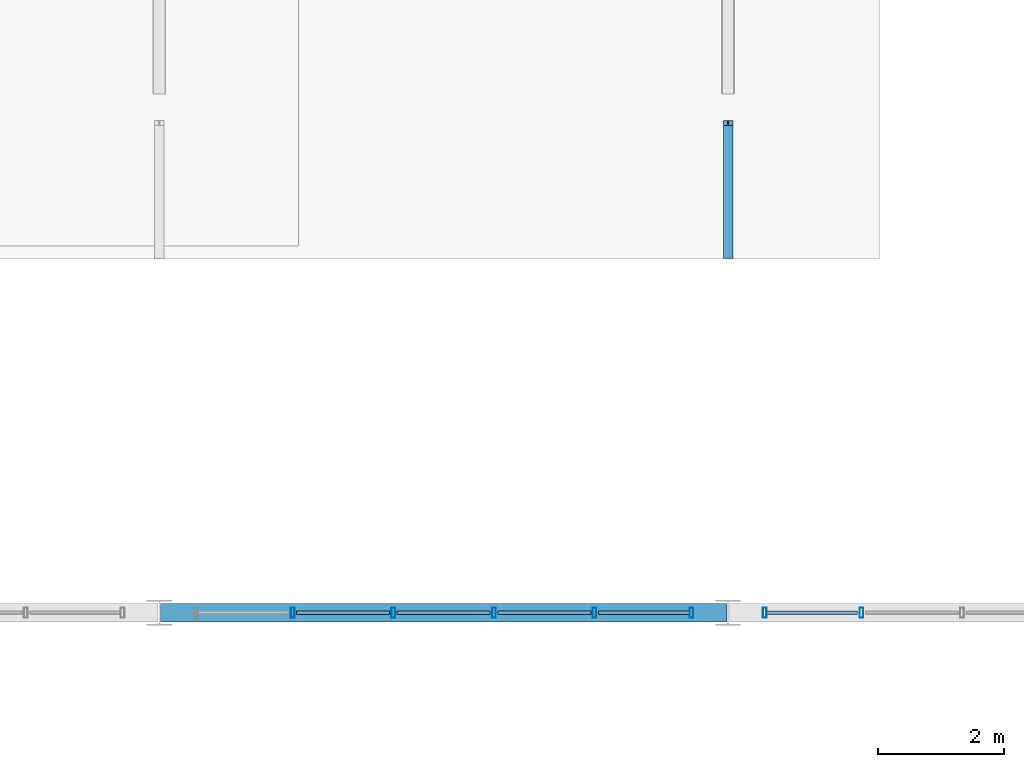
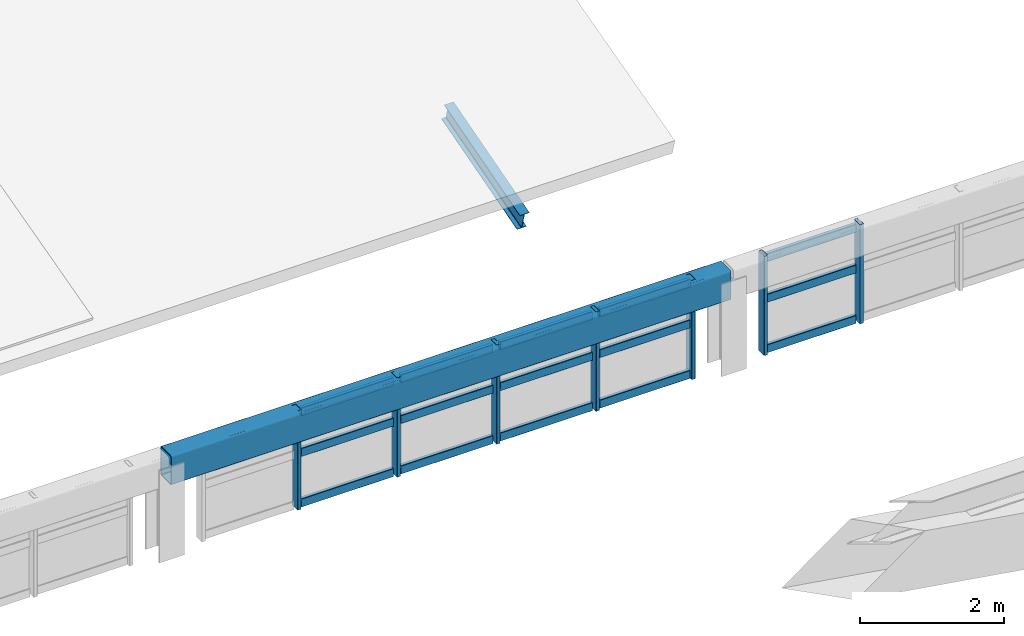
# One storey, part 54 of 128: 22 members, 2 beams, 2 elements without a shape of their own.
"""IFC4 building model written with IfcOpenShell, lengths in metres."""

from ifc_helpers import new_model, si_unit, derived_unit, direction, frame, origin, origin_2d, place, context, subcontext, project, spatial, hollow_rectangle, i_section, extrude, material, material_profile, profile_set, type_object, element, aggregate, save


model = new_model("IFC4")

# Units and contexts
model_context = context("Model", 3, precision=1e-05, world=origin(), true_north=direction((0.0, 1.0)))
body_context = subcontext(model_context, "Body", "Model", "MODEL_VIEW")
ifc_project = project(units=[si_unit("LENGTHUNIT", "METRE"), si_unit("AREAUNIT", "SQUARE_METRE"), si_unit("VOLUMEUNIT", "CUBIC_METRE"), si_unit("PLANEANGLEUNIT", "RADIAN"), si_unit("MASSUNIT", "GRAM", prefix="KILO"), derived_unit("THERMALTRANSMITTANCEUNIT", [(si_unit("MASSUNIT", "GRAM", prefix="KILO"), 1), (si_unit("TIMEUNIT", "SECOND"), -3), (si_unit("THERMODYNAMICTEMPERATUREUNIT", "KELVIN"), -1)])], contexts=[model_context])

# Site, building, storey
site_placement = place(None, origin())
site = spatial("IfcSite", under=ifc_project, at=site_placement, CompositionType="ELEMENT")
building_placement = place(site_placement, origin())
building = spatial("IfcBuilding", under=site, at=building_placement, Name="Zhenchuan Archway Interchange", CompositionType="ELEMENT")
storey_placement = place(building_placement, frame((0.0, 0.0, 14.39990234375)))
storey = spatial("IfcBuildingStorey", under=building, at=storey_placement, Name="L03", CompositionType="ELEMENT", Elevation=14.39990234375)

# Beams
ifc_material_1 = material(Name="Steel Q390", Category="steel")
ifc_material_profile_1 = material_profile(ifc_material_1, hollow_rectangle(XDim=0.300048828125, YDim=0.5, WallThickness=0.01611328125, InnerFilletRadius=0.01611328125, OuterFilletRadius=0.031982421875, at=origin_2d()), Name="RHS 500x300x16")
ifc_profile_set_1 = profile_set([ifc_material_profile_1], Name="Steel Q390")
beam_type_1 = type_object("IfcBeamType", Name="BM_RING_RHS500", PredefinedType="BEAM", material=ifc_profile_set_1)
beam_1_placement = place(storey_placement, frame((45.02001953125, 88.0, 1.4501953125), z_axis=(1.0, 0.0, 0.0), x_axis=(0.0, 1.0, 0.0)))
element("IfcBeam", 1, at=beam_1_placement, inside=storey, type_object=beam_type_1, Name="CONCOURSE CABLE-NET RING BEAM N-3", PredefinedType="BEAM", context=body_context, shape_type="SweptSolid", body=[
    extrude(hollow_rectangle(XDim=0.300048828125, YDim=0.5, WallThickness=0.01611328125, InnerFilletRadius=0.01611328125, OuterFilletRadius=0.031982421875, at=origin_2d()), origin(), (0.0, 0.0, 1.0), 8.9599609375),
])
ifc_material_2 = material(Name="Steel Q355", Category="steel")
ifc_material_profile_2 = material_profile(ifc_material_2, i_section(OverallWidth=0.14990234375, OverallDepth=0.300048828125, WebThickness=0.006591796875, FlangeThickness=0.009033203125, FilletRadius=0.012939453125, at=origin_2d()), Name="HN 300x150")
ifc_profile_set_2 = profile_set([ifc_material_profile_2], Name="Steel Q355")
beam_type_2 = type_object("IfcBeamType", Name="BM_STL_EAVE_HN300", PredefinedType="BEAM", material=ifc_profile_set_2)
beam_2_placement = place(storey_placement, frame((54.0, 95.75, -0.3798828125), z_axis=(0.0, -0.961515511102, -0.274750654067), x_axis=(1.0, 0.0, 0.0)))
element("IfcBeam", 2, at=beam_2_placement, inside=storey, type_object=beam_type_2, Name="Terminal Wing storm-eave bracket X54-S", PredefinedType="BEAM", context=body_context, shape_type="SweptSolid", body=[
    extrude(i_section(OverallWidth=0.14990234375, OverallDepth=0.300048828125, WebThickness=0.006591796875, FlangeThickness=0.009033203125, FilletRadius=0.012939453125, at=origin_2d()), origin(), (0.0, 0.0, 1.0), 2.18408203125),
])

# Curtain wall, members
ifc_material_3 = material(Name="Anodised Aluminium", Category="aluminium")
curtain_wall_type = type_object("IfcCurtainWallType", Name="CW_UNIT_4", PredefinedType="NOTDEFINED", material=ifc_material_3)
curtain_wall_1_placement = place(storey_placement, origin())
curtain_wall_1 = element("IfcCurtainWall", 3, at=curtain_wall_1_placement, inside=storey, type_object=curtain_wall_type, Name="Unitised curtain wall CW:L03:RING-N3", PredefinedType="NOTDEFINED")
ifc_material_profile_3 = material_profile(ifc_material_3, hollow_rectangle(XDim=0.06005859375, YDim=0.159912109375, WallThickness=0.00390625, InnerFilletRadius=0.00390625, OuterFilletRadius=0.008056640625, at=origin_2d()), Name="ALU 160x60x4")
ifc_profile_set_3 = profile_set([ifc_material_profile_3], Name="Anodised Aluminium")
member_type_1 = type_object("IfcMemberType", Name="CW_MUL_150", PredefinedType="MULLION", material=ifc_profile_set_3)
member_1_placement = place(storey_placement, frame((47.112060546875, 88.0, 0.02001953125), z_axis=(0.0, 0.0, 1.0), x_axis=(1.0, 0.0, 0.0)))
member_1 = element("IfcMember", 4, at=member_1_placement, type_object=member_type_1, Name="CW:L03:RING-N3 mullion 1", PredefinedType="MULLION", context=body_context, shape_type="SweptSolid", body=[
    extrude(hollow_rectangle(XDim=0.06005859375, YDim=0.159912109375, WallThickness=0.00390625, InnerFilletRadius=0.00390625, OuterFilletRadius=0.008056640625, at=origin_2d()), origin(), (0.0, 0.0, 1.0), 1.68017578125),
])
member_2_placement = place(storey_placement, frame((48.7041015625, 88.0, 0.02001953125), z_axis=(0.0, 0.0, 1.0), x_axis=(1.0, 0.0, 0.0)))
member_2 = element("IfcMember", 5, at=member_2_placement, type_object=member_type_1, Name="CW:L03:RING-N3 mullion 2", PredefinedType="MULLION", context=body_context, shape_type="SweptSolid", body=[
    extrude(hollow_rectangle(XDim=0.06005859375, YDim=0.159912109375, WallThickness=0.00390625, InnerFilletRadius=0.00390625, OuterFilletRadius=0.008056640625, at=origin_2d()), origin(), (0.0, 0.0, 1.0), 1.68017578125),
])
member_3_placement = place(storey_placement, frame((50.2958984375, 88.0, 0.02001953125), z_axis=(0.0, 0.0, 1.0), x_axis=(1.0, 0.0, 0.0)))
member_3 = element("IfcMember", 6, at=member_3_placement, type_object=member_type_1, Name="CW:L03:RING-N3 mullion 3", PredefinedType="MULLION", context=body_context, shape_type="SweptSolid", body=[
    extrude(hollow_rectangle(XDim=0.06005859375, YDim=0.159912109375, WallThickness=0.00390625, InnerFilletRadius=0.00390625, OuterFilletRadius=0.008056640625, at=origin_2d()), origin(), (0.0, 0.0, 1.0), 1.68017578125),
])
member_4_placement = place(storey_placement, frame((51.887939453125, 88.0, 0.02001953125), z_axis=(0.0, 0.0, 1.0), x_axis=(1.0, 0.0, 0.0)))
member_4 = element("IfcMember", 7, at=member_4_placement, type_object=member_type_1, Name="CW:L03:RING-N3 mullion 4", PredefinedType="MULLION", context=body_context, shape_type="SweptSolid", body=[
    extrude(hollow_rectangle(XDim=0.06005859375, YDim=0.159912109375, WallThickness=0.00390625, InnerFilletRadius=0.00390625, OuterFilletRadius=0.008056640625, at=origin_2d()), origin(), (0.0, 0.0, 1.0), 1.68017578125),
])
member_5_placement = place(storey_placement, frame((53.419921875, 88.0, 0.02001953125), z_axis=(0.0, 0.0, 1.0), x_axis=(1.0, 0.0, 0.0)))
member_5 = element("IfcMember", 8, at=member_5_placement, type_object=member_type_1, Name="CW:L03:RING-N3 mullion 5", PredefinedType="MULLION", context=body_context, shape_type="SweptSolid", body=[
    extrude(hollow_rectangle(XDim=0.06005859375, YDim=0.159912109375, WallThickness=0.00390625, InnerFilletRadius=0.00390625, OuterFilletRadius=0.008056640625, at=origin_2d()), origin(), (0.0, 0.0, 1.0), 1.68017578125),
])

curtain_wall_2_placement = place(storey_placement, origin())
curtain_wall_2 = element("IfcCurtainWall", 9, at=curtain_wall_2_placement, inside=storey, type_object=curtain_wall_type, Name="Unitised curtain wall CW:L03:RING-N4", PredefinedType="NOTDEFINED")
member_6_placement = place(storey_placement, frame((54.580078125, 88.0, 0.02001953125), z_axis=(0.0, 0.0, 1.0), x_axis=(1.0, 0.0, 0.0)))
member_6 = element("IfcMember", 10, at=member_6_placement, type_object=member_type_1, Name="CW:L03:RING-N4 mullion 0", PredefinedType="MULLION", context=body_context, shape_type="SweptSolid", body=[
    extrude(hollow_rectangle(XDim=0.06005859375, YDim=0.159912109375, WallThickness=0.00390625, InnerFilletRadius=0.00390625, OuterFilletRadius=0.008056640625, at=origin_2d()), origin(), (0.0, 0.0, 1.0), 1.68017578125),
])
member_7_placement = place(storey_placement, frame((56.112060546875, 88.0, 0.02001953125), z_axis=(0.0, 0.0, 1.0), x_axis=(1.0, 0.0, 0.0)))
member_7 = element("IfcMember", 11, at=member_7_placement, type_object=member_type_1, Name="CW:L03:RING-N4 mullion 1", PredefinedType="MULLION", context=body_context, shape_type="SweptSolid", body=[
    extrude(hollow_rectangle(XDim=0.06005859375, YDim=0.159912109375, WallThickness=0.00390625, InnerFilletRadius=0.00390625, OuterFilletRadius=0.008056640625, at=origin_2d()), origin(), (0.0, 0.0, 1.0), 1.68017578125),
])

# Member
ifc_material_profile_4 = material_profile(ifc_material_3, hollow_rectangle(XDim=0.06005859375, YDim=0.139892578125, WallThickness=0.00341796875, InnerFilletRadius=0.00341796875, OuterFilletRadius=0.007080078125, at=origin_2d()), Name="ALU 140x60x3.5")
ifc_profile_set_4 = profile_set([ifc_material_profile_4], Name="Anodised Aluminium")
member_type_2 = type_object("IfcMemberType", Name="CW_TRN_140", PredefinedType="USERDEFINED", material=ifc_profile_set_4)
member_8_placement = place(storey_placement, frame((47.172119140625, 88.0, 0.080078125), z_axis=(1.0, 0.0, 0.0), x_axis=(0.0, 1.0, 0.0)))
member_8 = element("IfcMember", 12, at=member_8_placement, type_object=member_type_2, Name="CW:L03:RING-N3 transom 1-1", ObjectType="TRANSOM", PredefinedType="USERDEFINED", context=body_context, shape_type="SweptSolid", body=[
    extrude(hollow_rectangle(XDim=0.06005859375, YDim=0.139892578125, WallThickness=0.00341796875, InnerFilletRadius=0.00341796875, OuterFilletRadius=0.007080078125, at=origin_2d()), origin(), (0.0, 0.0, 1.0), 1.471923828125),
])

member_9_placement = place(storey_placement, frame((47.172119140625, 88.0, 0.93310546875), z_axis=(1.0, 0.0, 0.0), x_axis=(0.0, 1.0, 0.0)))
member_9 = element("IfcMember", 13, at=member_9_placement, type_object=member_type_2, Name="CW:L03:RING-N3 transom 1-2", ObjectType="TRANSOM", PredefinedType="USERDEFINED", context=body_context, shape_type="SweptSolid", body=[
    extrude(hollow_rectangle(XDim=0.06005859375, YDim=0.139892578125, WallThickness=0.00341796875, InnerFilletRadius=0.00341796875, OuterFilletRadius=0.007080078125, at=origin_2d()), origin(), (0.0, 0.0, 1.0), 1.471923828125),
])

member_10_placement = place(storey_placement, frame((47.172119140625, 88.0, 1.6201171875), z_axis=(1.0, 0.0, 0.0), x_axis=(0.0, 1.0, 0.0)))
member_10 = element("IfcMember", 14, at=member_10_placement, type_object=member_type_2, Name="CW:L03:RING-N3 transom 1-3", ObjectType="TRANSOM", PredefinedType="USERDEFINED", context=body_context, shape_type="SweptSolid", body=[
    extrude(hollow_rectangle(XDim=0.06005859375, YDim=0.139892578125, WallThickness=0.00341796875, InnerFilletRadius=0.00341796875, OuterFilletRadius=0.007080078125, at=origin_2d()), origin(), (0.0, 0.0, 1.0), 1.471923828125),
])

member_11_placement = place(storey_placement, frame((48.763916015625, 88.0, 0.080078125), z_axis=(1.0, 0.0, 0.0), x_axis=(0.0, 1.0, 0.0)))
member_11 = element("IfcMember", 15, at=member_11_placement, type_object=member_type_2, Name="CW:L03:RING-N3 transom 2-1", ObjectType="TRANSOM", PredefinedType="USERDEFINED", context=body_context, shape_type="SweptSolid", body=[
    extrude(hollow_rectangle(XDim=0.06005859375, YDim=0.139892578125, WallThickness=0.00341796875, InnerFilletRadius=0.00341796875, OuterFilletRadius=0.007080078125, at=origin_2d()), origin(), (0.0, 0.0, 1.0), 1.47216796875),
])

member_12_placement = place(storey_placement, frame((48.763916015625, 88.0, 0.93310546875), z_axis=(1.0, 0.0, 0.0), x_axis=(0.0, 1.0, 0.0)))
member_12 = element("IfcMember", 16, at=member_12_placement, type_object=member_type_2, Name="CW:L03:RING-N3 transom 2-2", ObjectType="TRANSOM", PredefinedType="USERDEFINED", context=body_context, shape_type="SweptSolid", body=[
    extrude(hollow_rectangle(XDim=0.06005859375, YDim=0.139892578125, WallThickness=0.00341796875, InnerFilletRadius=0.00341796875, OuterFilletRadius=0.007080078125, at=origin_2d()), origin(), (0.0, 0.0, 1.0), 1.47216796875),
])

member_13_placement = place(storey_placement, frame((48.763916015625, 88.0, 1.6201171875), z_axis=(1.0, 0.0, 0.0), x_axis=(0.0, 1.0, 0.0)))
member_13 = element("IfcMember", 17, at=member_13_placement, type_object=member_type_2, Name="CW:L03:RING-N3 transom 2-3", ObjectType="TRANSOM", PredefinedType="USERDEFINED", context=body_context, shape_type="SweptSolid", body=[
    extrude(hollow_rectangle(XDim=0.06005859375, YDim=0.139892578125, WallThickness=0.00341796875, InnerFilletRadius=0.00341796875, OuterFilletRadius=0.007080078125, at=origin_2d()), origin(), (0.0, 0.0, 1.0), 1.47216796875),
])

member_14_placement = place(storey_placement, frame((50.35595703125, 88.0, 0.080078125), z_axis=(1.0, 0.0, 0.0), x_axis=(0.0, 1.0, 0.0)))
member_14 = element("IfcMember", 18, at=member_14_placement, type_object=member_type_2, Name="CW:L03:RING-N3 transom 3-1", ObjectType="TRANSOM", PredefinedType="USERDEFINED", context=body_context, shape_type="SweptSolid", body=[
    extrude(hollow_rectangle(XDim=0.06005859375, YDim=0.139892578125, WallThickness=0.00341796875, InnerFilletRadius=0.00341796875, OuterFilletRadius=0.007080078125, at=origin_2d()), origin(), (0.0, 0.0, 1.0), 1.471923828125),
])

member_15_placement = place(storey_placement, frame((50.35595703125, 88.0, 0.93310546875), z_axis=(1.0, 0.0, 0.0), x_axis=(0.0, 1.0, 0.0)))
member_15 = element("IfcMember", 19, at=member_15_placement, type_object=member_type_2, Name="CW:L03:RING-N3 transom 3-2", ObjectType="TRANSOM", PredefinedType="USERDEFINED", context=body_context, shape_type="SweptSolid", body=[
    extrude(hollow_rectangle(XDim=0.06005859375, YDim=0.139892578125, WallThickness=0.00341796875, InnerFilletRadius=0.00341796875, OuterFilletRadius=0.007080078125, at=origin_2d()), origin(), (0.0, 0.0, 1.0), 1.471923828125),
])

member_16_placement = place(storey_placement, frame((50.35595703125, 88.0, 1.6201171875), z_axis=(1.0, 0.0, 0.0), x_axis=(0.0, 1.0, 0.0)))
member_16 = element("IfcMember", 20, at=member_16_placement, type_object=member_type_2, Name="CW:L03:RING-N3 transom 3-3", ObjectType="TRANSOM", PredefinedType="USERDEFINED", context=body_context, shape_type="SweptSolid", body=[
    extrude(hollow_rectangle(XDim=0.06005859375, YDim=0.139892578125, WallThickness=0.00341796875, InnerFilletRadius=0.00341796875, OuterFilletRadius=0.007080078125, at=origin_2d()), origin(), (0.0, 0.0, 1.0), 1.471923828125),
])

member_17_placement = place(storey_placement, frame((51.947998046875, 88.0, 0.080078125), z_axis=(1.0, 0.0, 0.0), x_axis=(0.0, 1.0, 0.0)))
member_17 = element("IfcMember", 21, at=member_17_placement, type_object=member_type_2, Name="CW:L03:RING-N3 transom 4-1", ObjectType="TRANSOM", PredefinedType="USERDEFINED", context=body_context, shape_type="SweptSolid", body=[
    extrude(hollow_rectangle(XDim=0.06005859375, YDim=0.139892578125, WallThickness=0.00341796875, InnerFilletRadius=0.00341796875, OuterFilletRadius=0.007080078125, at=origin_2d()), origin(), (0.0, 0.0, 1.0), 1.451904296875),
])

member_18_placement = place(storey_placement, frame((51.947998046875, 88.0, 0.93310546875), z_axis=(1.0, 0.0, 0.0), x_axis=(0.0, 1.0, 0.0)))
member_18 = element("IfcMember", 22, at=member_18_placement, type_object=member_type_2, Name="CW:L03:RING-N3 transom 4-2", ObjectType="TRANSOM", PredefinedType="USERDEFINED", context=body_context, shape_type="SweptSolid", body=[
    extrude(hollow_rectangle(XDim=0.06005859375, YDim=0.139892578125, WallThickness=0.00341796875, InnerFilletRadius=0.00341796875, OuterFilletRadius=0.007080078125, at=origin_2d()), origin(), (0.0, 0.0, 1.0), 1.451904296875),
])

member_19_placement = place(storey_placement, frame((51.947998046875, 88.0, 1.6201171875), z_axis=(1.0, 0.0, 0.0), x_axis=(0.0, 1.0, 0.0)))
member_19 = element("IfcMember", 23, at=member_19_placement, type_object=member_type_2, Name="CW:L03:RING-N3 transom 4-3", ObjectType="TRANSOM", PredefinedType="USERDEFINED", context=body_context, shape_type="SweptSolid", body=[
    extrude(hollow_rectangle(XDim=0.06005859375, YDim=0.139892578125, WallThickness=0.00341796875, InnerFilletRadius=0.00341796875, OuterFilletRadius=0.007080078125, at=origin_2d()), origin(), (0.0, 0.0, 1.0), 1.451904296875),
])

aggregate(curtain_wall_1, [member_1, member_2, member_3, member_4, member_5, member_8, member_9, member_10, member_11, member_12, member_13, member_14, member_15, member_16, member_17, member_18, member_19])

member_20_placement = place(storey_placement, frame((54.60009765625, 88.0, 0.080078125), z_axis=(1.0, 0.0, 0.0), x_axis=(0.0, 1.0, 0.0)))
member_20 = element("IfcMember", 24, at=member_20_placement, type_object=member_type_2, Name="CW:L03:RING-N4 transom 0-1", ObjectType="TRANSOM", PredefinedType="USERDEFINED", context=body_context, shape_type="SweptSolid", body=[
    extrude(hollow_rectangle(XDim=0.06005859375, YDim=0.139892578125, WallThickness=0.00341796875, InnerFilletRadius=0.00341796875, OuterFilletRadius=0.007080078125, at=origin_2d()), origin(), (0.0, 0.0, 1.0), 1.451904296875),
])

member_21_placement = place(storey_placement, frame((54.60009765625, 88.0, 0.93310546875), z_axis=(1.0, 0.0, 0.0), x_axis=(0.0, 1.0, 0.0)))
member_21 = element("IfcMember", 25, at=member_21_placement, type_object=member_type_2, Name="CW:L03:RING-N4 transom 0-2", ObjectType="TRANSOM", PredefinedType="USERDEFINED", context=body_context, shape_type="SweptSolid", body=[
    extrude(hollow_rectangle(XDim=0.06005859375, YDim=0.139892578125, WallThickness=0.00341796875, InnerFilletRadius=0.00341796875, OuterFilletRadius=0.007080078125, at=origin_2d()), origin(), (0.0, 0.0, 1.0), 1.451904296875),
])

member_22_placement = place(storey_placement, frame((54.60009765625, 88.0, 1.6201171875), z_axis=(1.0, 0.0, 0.0), x_axis=(0.0, 1.0, 0.0)))
member_22 = element("IfcMember", 26, at=member_22_placement, type_object=member_type_2, Name="CW:L03:RING-N4 transom 0-3", ObjectType="TRANSOM", PredefinedType="USERDEFINED", context=body_context, shape_type="SweptSolid", body=[
    extrude(hollow_rectangle(XDim=0.06005859375, YDim=0.139892578125, WallThickness=0.00341796875, InnerFilletRadius=0.00341796875, OuterFilletRadius=0.007080078125, at=origin_2d()), origin(), (0.0, 0.0, 1.0), 1.451904296875),
])

aggregate(curtain_wall_2, [member_6, member_7, member_20, member_21, member_22])

save(model, "model.ifc")
